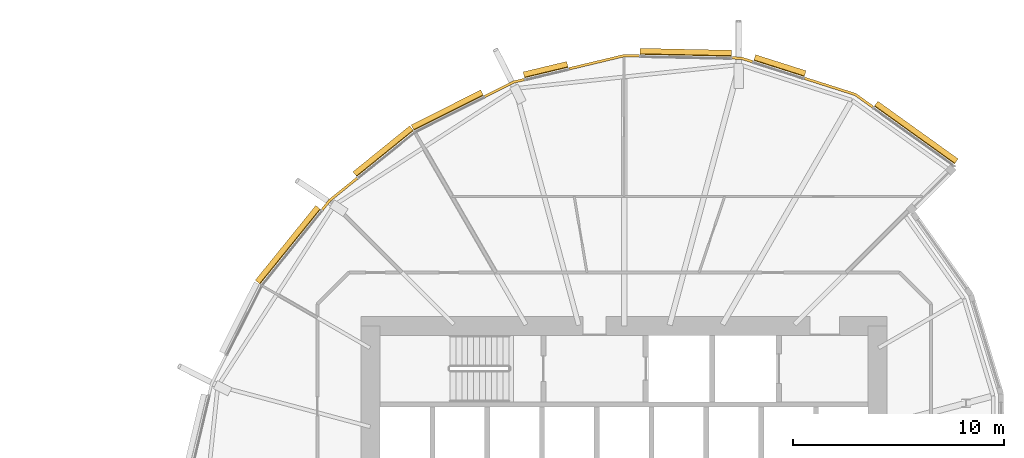
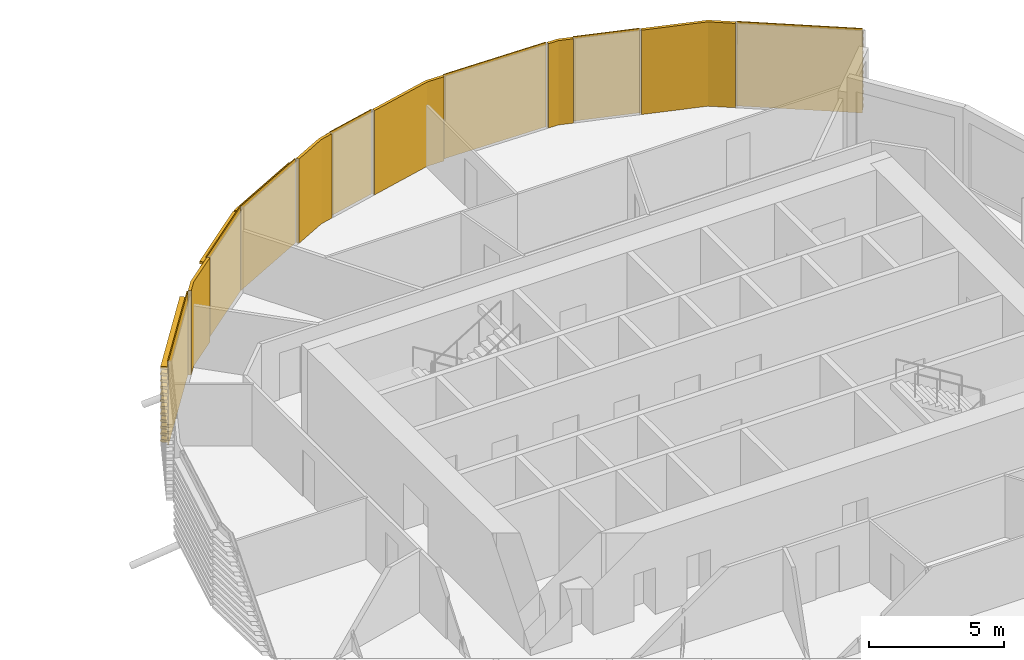
# One storey, part 36 of 36: 12 coverings.
"""IFC4 building model written with IfcOpenShell, lengths in metres."""

import ifcopenshell
import ifcopenshell.guid

model = None  # the IFC model being written
_history = None  # IfcOwnerHistory: only IFC2X3 demands one
_inside = {}  # id of a spatial element -> (the spatial element, [elements in it])
_under = {}  # id of a project, library or spatial element -> (it, [spatial elements below it])
_declared = {}  # id of a project -> (the project, [libraries it declares])
_typed = {}  # id of a type object -> (the type object, [elements of that type])
_made_of = {}  # id of a material, layer set ... -> (it, [elements and type objects made of it])


def new_model(schema):
    """Start an empty IFC model of exactly this schema.

    Asked for "IFC4X3", IfcOpenShell would pick the latest addendum, in which some entities
    have other attributes; the version numbers below select the first issue.
    IFC2X3 requires an IfcOwnerHistory on every rooted entity: one is made here for all.
    """
    global model, _history
    if schema == "IFC4X3":
        model = ifcopenshell.file(schema_version=(4, 3, 0, 0))
    else:
        model = ifcopenshell.file(schema=schema)
    _inside.clear()
    _under.clear()
    _declared.clear()
    _typed.clear()
    _made_of.clear()
    _history = None
    if model.schema == "IFC2X3":
        org = make("IfcOrganization", Name="unknown")
        user = make(
            "IfcPersonAndOrganization",
            ThePerson=make("IfcPerson", FamilyName="unknown"),
            TheOrganization=org,
        )
        app = make(
            "IfcApplication",
            ApplicationDeveloper=org,
            Version="unknown",
            ApplicationFullName="unknown",
            ApplicationIdentifier="unknown",
        )
        _history = make(
            "IfcOwnerHistory",
            OwningUser=user,
            OwningApplication=app,
            ChangeAction="ADDED",
            CreationDate=0,
        )
    return model


def make(cls, **values):
    """One entity of the class cls with the attributes given. An attribute that is None is left unset."""
    return model.create_entity(
        cls, **{name: value for name, value in values.items() if value is not None}
    )


def rooted(cls, **values):
    """An entity with a GlobalId (a new one), such as an element, a storey or a relation."""
    return make(cls, GlobalId=ifcopenshell.guid.new(), OwnerHistory=_history, **values)


def si_unit(unit_type, name, prefix=None):
    """IfcSIUnit, for example si_unit("LENGTHUNIT", "METRE", prefix="MILLI")."""
    return make("IfcSIUnit", UnitType=unit_type, Prefix=prefix, Name=name)


def assignment(units):
    """IfcUnitAssignment: the units of a project."""
    return None if units is None else make("IfcUnitAssignment", Units=units)


def point(xyz):
    """IfcCartesianPoint."""
    return None if xyz is None else make("IfcCartesianPoint", Coordinates=xyz)


def direction(xyz):
    """IfcDirection."""
    return None if xyz is None else make("IfcDirection", DirectionRatios=xyz)


def frame(location, z_axis=None, x_axis=None):
    """IfcAxis2Placement3D, a coordinate frame: its origin and axes. An axis left out is left unset."""
    return make(
        "IfcAxis2Placement3D",
        Location=point(location),
        Axis=direction(z_axis),
        RefDirection=direction(x_axis),
    )


def origin():
    """The frame at (0, 0, 0) with its axes left unset."""
    return frame((0.0, 0.0, 0.0))


def place(relative_to, where):
    """IfcLocalPlacement: puts the frame where relative to a parent placement (None: the world)."""
    return make(
        "IfcLocalPlacement", PlacementRelTo=relative_to, RelativePlacement=where
    )


def context(
    kind, dimensions, precision=None, world=None, true_north=None, identifier=None
):
    """IfcGeometricRepresentationContext, for example the 3D "Model" context."""
    return make(
        "IfcGeometricRepresentationContext",
        ContextIdentifier=identifier,
        ContextType=kind,
        CoordinateSpaceDimension=dimensions,
        Precision=precision,
        WorldCoordinateSystem=world,
        TrueNorth=true_north,
    )


def subcontext(parent, identifier, kind, view, scale=None):
    """IfcGeometricRepresentationSubContext, for example "Body" below "Model"."""
    return make(
        "IfcGeometricRepresentationSubContext",
        ContextIdentifier=identifier,
        ContextType=kind,
        ParentContext=parent,
        TargetScale=scale,
        TargetView=view,
    )


def project(units=None, contexts=None):
    """IfcProject with its units and contexts."""
    return rooted(
        "IfcProject",
        Name="project",
        RepresentationContexts=contexts,
        UnitsInContext=assignment(units),
    )


def spatial(cls, under=None, at=None, **own):
    """A site, building, storey or space (cls), placed at a placement, below another one or the project."""
    s = rooted(cls, ObjectPlacement=at, **own)
    if under is not None:
        _under.setdefault(under.id(), (under, []))[1].append(s)
    return s


def polyline(points):
    """IfcPolyline through the points."""
    return make("IfcPolyline", Points=[point(p) for p in points])


def outline(outer, holes=None, kind="AREA"):
    """IfcArbitraryClosedProfileDef: a profile drawn as a closed curve; with holes, ...WithVoids."""
    if holes is None:
        return make("IfcArbitraryClosedProfileDef", ProfileType=kind, OuterCurve=outer)
    return make(
        "IfcArbitraryProfileDefWithVoids",
        ProfileType=kind,
        OuterCurve=outer,
        InnerCurves=holes,
    )


def extrude(swept, where, along, depth):
    """IfcExtrudedAreaSolid: the profile swept, set in the frame where, extruded along a direction by depth."""
    return make(
        "IfcExtrudedAreaSolid",
        SweptArea=swept,
        Position=where,
        ExtrudedDirection=direction(along),
        Depth=depth,
    )


def shape(context_of_items, identifier, shape_type, items):
    """IfcShapeRepresentation: the items that make up one representation, for example the "Body"."""
    return make(
        "IfcShapeRepresentation",
        ContextOfItems=context_of_items,
        RepresentationIdentifier=identifier,
        RepresentationType=shape_type,
        Items=items,
    )


def material(Name=None, Category=None):
    """IfcMaterial."""
    return make("IfcMaterial", Name=Name, Category=Category)


def layer(
    of_material, thickness, ventilated=None, Name=None, Category=None, Priority=None
):
    """IfcMaterialLayer: one layer of a wall or slab, of a material (None: an air gap)."""
    return make(
        "IfcMaterialLayer",
        Material=of_material,
        LayerThickness=thickness,
        IsVentilated=ventilated,
        Name=Name,
        Category=Category,
        Priority=Priority,
    )


def layer_set(layers, Name=None):
    """IfcMaterialLayerSet."""
    return make("IfcMaterialLayerSet", MaterialLayers=layers, LayerSetName=Name)


def material_profile(
    of_material, cross_section, Name=None, Category=None, Priority=None
):
    """IfcMaterialProfile: a cross section and its material."""
    return make(
        "IfcMaterialProfile",
        Name=Name,
        Material=of_material,
        Profile=cross_section,
        Priority=Priority,
        Category=Category,
    )


def profile_set(profiles, Name=None, composite=None):
    """IfcMaterialProfileSet."""
    return make(
        "IfcMaterialProfileSet",
        Name=Name,
        MaterialProfiles=profiles,
        CompositeProfile=composite,
    )


def made_of(thing, what):
    """Note that an element or type object is made of a material, layer set ...; save() writes the relation."""
    if what is not None:
        _made_of.setdefault(what.id(), (what, []))[1].append(thing)
    return thing


def type_object(cls, material=None, **own):
    """A type object (cls), such as IfcWallType, which elements share."""
    return made_of(rooted(cls, **own), material)


def element(
    cls,
    number,
    at=None,
    inside=None,
    cuts=None,
    type_object=None,
    material=None,
    context=None,
    identifier="Body",
    shape_type=None,
    held_by="IfcProductDefinitionShape",
    body=None,
    shapes=None,
    **own,
):
    """One element of the class cls, such as IfcWall. Its Tag is "e" and its number.

    at: its placement. inside: the storey or other place that contains it. cuts: it is an
    opening in that element (IfcRelVoidsElement). A single representation is given by context,
    identifier, shape_type and body (its items); several are given by shapes. held_by: the class
    of the entity that holds the representations. save() writes the other relations.
    """
    e = rooted(cls, Tag="e%d" % number, ObjectPlacement=at, **own)
    if body is not None:
        shapes = [shape(context, identifier, shape_type, body)]
    if shapes is not None:
        e.Representation = make(held_by, Representations=shapes)
    if inside is not None:
        _inside.setdefault(inside.id(), (inside, []))[1].append(e)
    if cuts is not None:
        rooted(
            "IfcRelVoidsElement", RelatingBuildingElement=cuts, RelatedOpeningElement=e
        )
    if type_object is not None:
        _typed.setdefault(type_object.id(), (type_object, []))[1].append(e)
    return made_of(e, material)


def aggregate(whole, parts):
    """IfcRelAggregates: a whole, such as a stair, and the parts it consists of."""
    return rooted("IfcRelAggregates", RelatingObject=whole, RelatedObjects=parts)


def save(model, path):
    """Write the relations noted so far, then the file.

    IfcRelAggregates (storeys below a building ...), IfcRelContainedInSpatialStructure (elements
    in a storey), IfcRelDefinesByType, IfcRelAssociatesMaterial and IfcRelDeclares: one each for
    every whole, place, type object, material and project.
    """
    for whole, parts in _under.values():
        aggregate(whole, parts)
    for where, things in _inside.values():
        rooted(
            "IfcRelContainedInSpatialStructure",
            RelatedElements=things,
            RelatingStructure=where,
        )
    for kind, things in _typed.values():
        rooted("IfcRelDefinesByType", RelatedObjects=things, RelatingType=kind)
    for what, things in _made_of.values():
        rooted("IfcRelAssociatesMaterial", RelatedObjects=things, RelatingMaterial=what)
    for by, libraries in _declared.values():
        rooted("IfcRelDeclares", RelatingContext=by, RelatedDefinitions=libraries)
    model.write(path)


model = new_model("IFC4")

# Units and contexts
model_context = context("Model", 3, precision=1e-05, world=origin(), true_north=direction((0.0, 1.0)))
body_context = subcontext(model_context, "Body", "Model", "MODEL_VIEW")
ifc_project = project(units=[si_unit("LENGTHUNIT", "METRE"), si_unit("AREAUNIT", "SQUARE_METRE"), si_unit("VOLUMEUNIT", "CUBIC_METRE"), si_unit("PLANEANGLEUNIT", "RADIAN"), si_unit("MASSUNIT", "GRAM", prefix="KILO")], contexts=[model_context])

# Site, building, storey
site_placement = place(None, origin())
site = spatial("IfcSite", under=ifc_project, at=site_placement, CompositionType="ELEMENT")
building_placement = place(site_placement, origin())
building = spatial("IfcBuilding", under=site, at=building_placement, Name="Rimbun Link Towers", CompositionType="ELEMENT")
storey_placement = place(building_placement, frame((0.0, 0.0, 33.800048828125)))
storey = spatial("IfcBuildingStorey", under=building, at=storey_placement, Name="L07", CompositionType="ELEMENT", Elevation=33.800048828125)

# Coverings
ifc_material_1 = material(Name="Terracotta", Category="masonry")
ifc_layer = layer(ifc_material_1, 0.1201171875)
ifc_layer_set = layer_set([ifc_layer], Name="LINK PIER terracotta cladding 120")
covering_type_1 = type_object("IfcCoveringType", Name="LINK PIER terracotta cladding 120", PredefinedType="CLADDING", material=ifc_layer_set)
covering_1_placement = place(storey_placement, origin())
element("IfcCovering", 1, at=covering_1_placement, inside=storey, type_object=covering_type_1, Name="LINK PIER cladding", PredefinedType="CLADDING", context=body_context, shape_type="SweptSolid", body=[
    extrude(outline(polyline([(40.26220703125, 19.666748046875), (42.663818359375, 18.903076171875), (43.492431640625, 18.308349609375), (43.5625, 18.406005859375), (42.71826171875, 19.01171875), (40.298583984375, 19.78125), (40.26220703125, 19.666748046875)])), origin(), (0.0, 0.0, 1.0), 3.800048828125),
])
covering_2_placement = place(storey_placement, origin())
element("IfcCovering", 2, at=covering_2_placement, inside=storey, type_object=covering_type_1, Name="LINK PIER cladding", PredefinedType="CLADDING", context=body_context, shape_type="SweptSolid", body=[
    extrude(outline(polyline([(36.8544921875, 20.6259765625), (37.2744140625, 20.6171875), (37.8173828125, 20.4443359375), (37.853759765625, 20.55859375), (37.294189453125, 20.73681640625), (36.85693359375, 20.745849609375), (36.8544921875, 20.6259765625)])), origin(), (0.0, 0.0, 1.0), 3.800048828125),
])
covering_3_placement = place(storey_placement, origin())
element("IfcCovering", 3, at=covering_3_placement, inside=storey, type_object=covering_type_1, Name="LINK PIER cladding", PredefinedType="CLADDING", context=body_context, shape_type="SweptSolid", body=[
    extrude(outline(polyline([(29.1533203125, 20.1123046875), (31.75, 20.7333984375), (32.4697265625, 20.71826171875), (32.472412109375, 20.83837890625), (31.737060546875, 20.853759765625), (29.125244140625, 20.229248046875), (29.1533203125, 20.1123046875)])), origin(), (0.0, 0.0, 1.0), 3.800048828125),
])
covering_4_placement = place(storey_placement, origin())
element("IfcCovering", 4, at=covering_4_placement, inside=storey, type_object=covering_type_1, Name="LINK PIER cladding", PredefinedType="CLADDING", context=body_context, shape_type="SweptSolid", body=[
    extrude(outline(polyline([(25.170654296875, 18.802734375), (26.529052734375, 19.48486328125), (27.034912109375, 19.605712890625), (27.0068359375, 19.722412109375), (26.487548828125, 19.598388671875), (25.116943359375, 18.909912109375), (25.170654296875, 18.802734375)])), origin(), (0.0, 0.0, 1.0), 3.800048828125),
])
covering_5_placement = place(storey_placement, origin())
element("IfcCovering", 5, at=covering_5_placement, inside=storey, type_object=covering_type_1, Name="LINK PIER cladding", PredefinedType="CLADDING", context=body_context, shape_type="SweptSolid", body=[
    extrude(outline(polyline([(17.493896484375, 13.45458984375), (17.852294921875, 13.897705078125), (19.150390625, 14.9482421875), (19.074951171875, 15.04150390625), (17.76708984375, 13.98291015625), (17.400390625, 13.530029296875), (17.493896484375, 13.45458984375)])), origin(), (0.0, 0.0, 1.0), 3.800048828125),
])
ifc_material_2 = material(Name="Terracotta", Category="masonry")
ifc_material_profile = material_profile(ifc_material_2, outline(polyline([(0.123046875, 0.0), (0.1630859375, 0.0), (0.1630859375, 0.10009765625), (0.423095703125, 0.10009765625), (0.423095703125, 0.219970703125), (0.1630859375, 0.219970703125), (0.1630859375, 0.39990234375), (0.423095703125, 0.39990234375), (0.423095703125, 0.52001953125), (0.1630859375, 0.52001953125), (0.1630859375, 0.699951171875), (0.423095703125, 0.699951171875), (0.423095703125, 0.820068359375), (0.1630859375, 0.820068359375), (0.1630859375, 1.0), (0.423095703125, 1.0), (0.423095703125, 1.1201171875), (0.1630859375, 1.1201171875), (0.1630859375, 1.300048828125), (0.423095703125, 1.300048828125), (0.423095703125, 1.419921875), (0.1630859375, 1.419921875), (0.1630859375, 1.60009765625), (0.423095703125, 1.60009765625), (0.423095703125, 1.719970703125), (0.1630859375, 1.719970703125), (0.1630859375, 1.89990234375), (0.423095703125, 1.89990234375), (0.423095703125, 2.02001953125), (0.1630859375, 2.02001953125), (0.1630859375, 2.199951171875), (0.423095703125, 2.199951171875), (0.423095703125, 2.320068359375), (0.1630859375, 2.320068359375), (0.1630859375, 2.5), (0.423095703125, 2.5), (0.423095703125, 2.6201171875), (0.1630859375, 2.6201171875), (0.1630859375, 2.800048828125), (0.423095703125, 2.800048828125), (0.423095703125, 2.919921875), (0.1630859375, 2.919921875), (0.1630859375, 3.10009765625), (0.423095703125, 3.10009765625), (0.423095703125, 3.219970703125), (0.1630859375, 3.219970703125), (0.1630859375, 3.39990234375), (0.423095703125, 3.39990234375), (0.423095703125, 3.52001953125), (0.1630859375, 3.52001953125), (0.1630859375, 3.800048828125), (0.123046875, 3.800048828125), (0.123046875, 0.0)])), Name="BAGUETTE 120X300")
ifc_profile_set = profile_set([ifc_material_profile], Name="Terracotta")
covering_type_2 = type_object("IfcCoveringType", Name="TERRACOTTA BAGUETTE 120X300 H3800", PredefinedType="CLADDING", material=ifc_profile_set)
covering_6_placement = place(storey_placement, frame((43.516845703125, 18.291015625, 0.0), z_axis=(0.812443607919, -0.583039779047, 0.0), x_axis=(0.583039779047, 0.812443607919, 0.0)))
element("IfcCovering", 6, at=covering_6_placement, inside=storey, type_object=covering_type_2, Name="TERRACOTTA BAGUETTE", PredefinedType="CLADDING", context=body_context, shape_type="SweptSolid", body=[
    extrude(outline(polyline([(0.123046875, 0.0), (0.1630859375, 0.0), (0.1630859375, 0.10009765625), (0.423095703125, 0.10009765625), (0.423095703125, 0.219970703125), (0.1630859375, 0.219970703125), (0.1630859375, 0.39990234375), (0.423095703125, 0.39990234375), (0.423095703125, 0.52001953125), (0.1630859375, 0.52001953125), (0.1630859375, 0.699951171875), (0.423095703125, 0.699951171875), (0.423095703125, 0.820068359375), (0.1630859375, 0.820068359375), (0.1630859375, 1.0), (0.423095703125, 1.0), (0.423095703125, 1.1201171875), (0.1630859375, 1.1201171875), (0.1630859375, 1.300048828125), (0.423095703125, 1.300048828125), (0.423095703125, 1.419921875), (0.1630859375, 1.419921875), (0.1630859375, 1.60009765625), (0.423095703125, 1.60009765625), (0.423095703125, 1.719970703125), (0.1630859375, 1.719970703125), (0.1630859375, 1.89990234375), (0.423095703125, 1.89990234375), (0.423095703125, 2.02001953125), (0.1630859375, 2.02001953125), (0.1630859375, 2.199951171875), (0.423095703125, 2.199951171875), (0.423095703125, 2.320068359375), (0.1630859375, 2.320068359375), (0.1630859375, 2.5), (0.423095703125, 2.5), (0.423095703125, 2.6201171875), (0.1630859375, 2.6201171875), (0.1630859375, 2.800048828125), (0.423095703125, 2.800048828125), (0.423095703125, 2.919921875), (0.1630859375, 2.919921875), (0.1630859375, 3.10009765625), (0.423095703125, 3.10009765625), (0.423095703125, 3.219970703125), (0.1630859375, 3.219970703125), (0.1630859375, 3.39990234375), (0.423095703125, 3.39990234375), (0.423095703125, 3.52001953125), (0.1630859375, 3.52001953125), (0.1630859375, 3.800048828125), (0.123046875, 3.800048828125), (0.123046875, 0.0)])), origin(), (0.0, 0.0, 1.0), 4.67529296875),
])
covering_7_placement = place(storey_placement, frame((37.84619140625, 20.435302734375, 0.0), z_axis=(0.952968005394, -0.303070916942, 0.0), x_axis=(0.303070916942, 0.952968005394, 0.0)))
element("IfcCovering", 7, at=covering_7_placement, inside=storey, type_object=covering_type_2, Name="TERRACOTTA BAGUETTE", PredefinedType="CLADDING", context=body_context, shape_type="SweptSolid", body=[
    extrude(outline(polyline([(0.123046875, 0.0), (0.1630859375, 0.0), (0.1630859375, 0.10009765625), (0.423095703125, 0.10009765625), (0.423095703125, 0.219970703125), (0.1630859375, 0.219970703125), (0.1630859375, 0.39990234375), (0.423095703125, 0.39990234375), (0.423095703125, 0.52001953125), (0.1630859375, 0.52001953125), (0.1630859375, 0.699951171875), (0.423095703125, 0.699951171875), (0.423095703125, 0.820068359375), (0.1630859375, 0.820068359375), (0.1630859375, 1.0), (0.423095703125, 1.0), (0.423095703125, 1.1201171875), (0.1630859375, 1.1201171875), (0.1630859375, 1.300048828125), (0.423095703125, 1.300048828125), (0.423095703125, 1.419921875), (0.1630859375, 1.419921875), (0.1630859375, 1.60009765625), (0.423095703125, 1.60009765625), (0.423095703125, 1.719970703125), (0.1630859375, 1.719970703125), (0.1630859375, 1.89990234375), (0.423095703125, 1.89990234375), (0.423095703125, 2.02001953125), (0.1630859375, 2.02001953125), (0.1630859375, 2.199951171875), (0.423095703125, 2.199951171875), (0.423095703125, 2.320068359375), (0.1630859375, 2.320068359375), (0.1630859375, 2.5), (0.423095703125, 2.5), (0.423095703125, 2.6201171875), (0.1630859375, 2.6201171875), (0.1630859375, 2.800048828125), (0.423095703125, 2.800048828125), (0.423095703125, 2.919921875), (0.1630859375, 2.919921875), (0.1630859375, 3.10009765625), (0.423095703125, 3.10009765625), (0.423095703125, 3.219970703125), (0.1630859375, 3.219970703125), (0.1630859375, 3.39990234375), (0.423095703125, 3.39990234375), (0.423095703125, 3.52001953125), (0.1630859375, 3.52001953125), (0.1630859375, 3.800048828125), (0.123046875, 3.800048828125), (0.123046875, 0.0)])), origin(), (0.0, 0.0, 1.0), 2.50537109375),
])
covering_8_placement = place(storey_placement, frame((32.499755859375, 20.7177734375, 0.0), z_axis=(0.999777189958, -0.021108539519, 0.0), x_axis=(0.021108539519, 0.999777189958, 0.0)))
element("IfcCovering", 8, at=covering_8_placement, inside=storey, type_object=covering_type_2, Name="TERRACOTTA BAGUETTE", PredefinedType="CLADDING", context=body_context, shape_type="SweptSolid", body=[
    extrude(outline(polyline([(0.123046875, 0.0), (0.1630859375, 0.0), (0.1630859375, 0.10009765625), (0.423095703125, 0.10009765625), (0.423095703125, 0.219970703125), (0.1630859375, 0.219970703125), (0.1630859375, 0.39990234375), (0.423095703125, 0.39990234375), (0.423095703125, 0.52001953125), (0.1630859375, 0.52001953125), (0.1630859375, 0.699951171875), (0.423095703125, 0.699951171875), (0.423095703125, 0.820068359375), (0.1630859375, 0.820068359375), (0.1630859375, 1.0), (0.423095703125, 1.0), (0.423095703125, 1.1201171875), (0.1630859375, 1.1201171875), (0.1630859375, 1.300048828125), (0.423095703125, 1.300048828125), (0.423095703125, 1.419921875), (0.1630859375, 1.419921875), (0.1630859375, 1.60009765625), (0.423095703125, 1.60009765625), (0.423095703125, 1.719970703125), (0.1630859375, 1.719970703125), (0.1630859375, 1.89990234375), (0.423095703125, 1.89990234375), (0.423095703125, 2.02001953125), (0.1630859375, 2.02001953125), (0.1630859375, 2.199951171875), (0.423095703125, 2.199951171875), (0.423095703125, 2.320068359375), (0.1630859375, 2.320068359375), (0.1630859375, 2.5), (0.423095703125, 2.5), (0.423095703125, 2.6201171875), (0.1630859375, 2.6201171875), (0.1630859375, 2.800048828125), (0.423095703125, 2.800048828125), (0.423095703125, 2.919921875), (0.1630859375, 2.919921875), (0.1630859375, 3.10009765625), (0.423095703125, 3.10009765625), (0.423095703125, 3.219970703125), (0.1630859375, 3.219970703125), (0.1630859375, 3.39990234375), (0.423095703125, 3.39990234375), (0.423095703125, 3.52001953125), (0.1630859375, 3.52001953125), (0.1630859375, 3.800048828125), (0.123046875, 3.800048828125), (0.123046875, 0.0)])), origin(), (0.0, 0.0, 1.0), 4.32568359375),
])
covering_9_placement = place(storey_placement, frame((27.06396484375, 19.61279296875, 0.0), z_axis=(0.972573223631, 0.232596914587, 0.0), x_axis=(-0.232596914587, 0.972573223631, 0.0)))
element("IfcCovering", 9, at=covering_9_placement, inside=storey, type_object=covering_type_2, Name="TERRACOTTA BAGUETTE", PredefinedType="CLADDING", context=body_context, shape_type="SweptSolid", body=[
    extrude(outline(polyline([(0.123046875, 0.0), (0.1630859375, 0.0), (0.1630859375, 0.10009765625), (0.423095703125, 0.10009765625), (0.423095703125, 0.219970703125), (0.1630859375, 0.219970703125), (0.1630859375, 0.39990234375), (0.423095703125, 0.39990234375), (0.423095703125, 0.52001953125), (0.1630859375, 0.52001953125), (0.1630859375, 0.699951171875), (0.423095703125, 0.699951171875), (0.423095703125, 0.820068359375), (0.1630859375, 0.820068359375), (0.1630859375, 1.0), (0.423095703125, 1.0), (0.423095703125, 1.1201171875), (0.1630859375, 1.1201171875), (0.1630859375, 1.300048828125), (0.423095703125, 1.300048828125), (0.423095703125, 1.419921875), (0.1630859375, 1.419921875), (0.1630859375, 1.60009765625), (0.423095703125, 1.60009765625), (0.423095703125, 1.719970703125), (0.1630859375, 1.719970703125), (0.1630859375, 1.89990234375), (0.423095703125, 1.89990234375), (0.423095703125, 2.02001953125), (0.1630859375, 2.02001953125), (0.1630859375, 2.199951171875), (0.423095703125, 2.199951171875), (0.423095703125, 2.320068359375), (0.1630859375, 2.320068359375), (0.1630859375, 2.5), (0.423095703125, 2.5), (0.423095703125, 2.6201171875), (0.1630859375, 2.6201171875), (0.1630859375, 2.800048828125), (0.423095703125, 2.800048828125), (0.423095703125, 2.919921875), (0.1630859375, 2.919921875), (0.1630859375, 3.10009765625), (0.423095703125, 3.10009765625), (0.423095703125, 3.219970703125), (0.1630859375, 3.219970703125), (0.1630859375, 3.39990234375), (0.423095703125, 3.39990234375), (0.423095703125, 3.52001953125), (0.1630859375, 3.52001953125), (0.1630859375, 3.800048828125), (0.123046875, 3.800048828125), (0.123046875, 0.0)])), origin(), (0.0, 0.0, 1.0), 2.1181640625),
])
covering_10_placement = place(storey_placement, frame((21.85546875, 17.1376953125, 0.0), z_axis=(0.893629667203, 0.448805100121, 0.0), x_axis=(-0.448805100121, 0.893629667203, 0.0)))
element("IfcCovering", 10, at=covering_10_placement, inside=storey, type_object=covering_type_2, Name="TERRACOTTA BAGUETTE", PredefinedType="CLADDING", context=body_context, shape_type="SweptSolid", body=[
    extrude(outline(polyline([(0.123046875, 0.0), (0.1630859375, 0.0), (0.1630859375, 0.10009765625), (0.423095703125, 0.10009765625), (0.423095703125, 0.219970703125), (0.1630859375, 0.219970703125), (0.1630859375, 0.39990234375), (0.423095703125, 0.39990234375), (0.423095703125, 0.52001953125), (0.1630859375, 0.52001953125), (0.1630859375, 0.699951171875), (0.423095703125, 0.699951171875), (0.423095703125, 0.820068359375), (0.1630859375, 0.820068359375), (0.1630859375, 1.0), (0.423095703125, 1.0), (0.423095703125, 1.1201171875), (0.1630859375, 1.1201171875), (0.1630859375, 1.300048828125), (0.423095703125, 1.300048828125), (0.423095703125, 1.419921875), (0.1630859375, 1.419921875), (0.1630859375, 1.60009765625), (0.423095703125, 1.60009765625), (0.423095703125, 1.719970703125), (0.1630859375, 1.719970703125), (0.1630859375, 1.89990234375), (0.423095703125, 1.89990234375), (0.423095703125, 2.02001953125), (0.1630859375, 2.02001953125), (0.1630859375, 2.199951171875), (0.423095703125, 2.199951171875), (0.423095703125, 2.320068359375), (0.1630859375, 2.320068359375), (0.1630859375, 2.5), (0.423095703125, 2.5), (0.423095703125, 2.6201171875), (0.1630859375, 2.6201171875), (0.1630859375, 2.800048828125), (0.423095703125, 2.800048828125), (0.423095703125, 2.919921875), (0.1630859375, 2.919921875), (0.1630859375, 3.10009765625), (0.423095703125, 3.10009765625), (0.423095703125, 3.219970703125), (0.1630859375, 3.219970703125), (0.1630859375, 3.39990234375), (0.423095703125, 3.39990234375), (0.423095703125, 3.52001953125), (0.1630859375, 3.52001953125), (0.1630859375, 3.800048828125), (0.123046875, 3.800048828125), (0.123046875, 0.0)])), origin(), (0.0, 0.0, 1.0), 3.679931640625),
])
covering_11_placement = place(storey_placement, frame((19.173828125, 14.967041015625, 0.0), z_axis=(0.777272884766, 0.629163621491, 0.0), x_axis=(-0.629163621491, 0.777272884766, 0.0)))
element("IfcCovering", 11, at=covering_11_placement, inside=storey, type_object=covering_type_2, Name="TERRACOTTA BAGUETTE", PredefinedType="CLADDING", context=body_context, shape_type="SweptSolid", body=[
    extrude(outline(polyline([(0.123046875, 0.0), (0.1630859375, 0.0), (0.1630859375, 0.10009765625), (0.423095703125, 0.10009765625), (0.423095703125, 0.219970703125), (0.1630859375, 0.219970703125), (0.1630859375, 0.39990234375), (0.423095703125, 0.39990234375), (0.423095703125, 0.52001953125), (0.1630859375, 0.52001953125), (0.1630859375, 0.699951171875), (0.423095703125, 0.699951171875), (0.423095703125, 0.820068359375), (0.1630859375, 0.820068359375), (0.1630859375, 1.0), (0.423095703125, 1.0), (0.423095703125, 1.1201171875), (0.1630859375, 1.1201171875), (0.1630859375, 1.300048828125), (0.423095703125, 1.300048828125), (0.423095703125, 1.419921875), (0.1630859375, 1.419921875), (0.1630859375, 1.60009765625), (0.423095703125, 1.60009765625), (0.423095703125, 1.719970703125), (0.1630859375, 1.719970703125), (0.1630859375, 1.89990234375), (0.423095703125, 1.89990234375), (0.423095703125, 2.02001953125), (0.1630859375, 2.02001953125), (0.1630859375, 2.199951171875), (0.423095703125, 2.199951171875), (0.423095703125, 2.320068359375), (0.1630859375, 2.320068359375), (0.1630859375, 2.5), (0.423095703125, 2.5), (0.423095703125, 2.6201171875), (0.1630859375, 2.6201171875), (0.1630859375, 2.800048828125), (0.423095703125, 2.800048828125), (0.423095703125, 2.919921875), (0.1630859375, 2.919921875), (0.1630859375, 3.10009765625), (0.423095703125, 3.10009765625), (0.423095703125, 3.219970703125), (0.1630859375, 3.219970703125), (0.1630859375, 3.39990234375), (0.423095703125, 3.39990234375), (0.423095703125, 3.52001953125), (0.1630859375, 3.52001953125), (0.1630859375, 3.800048828125), (0.123046875, 3.800048828125), (0.123046875, 0.0)])), origin(), (0.0, 0.0, 1.0), 3.449951171875),
])
covering_12_placement = place(storey_placement, frame((14.6123046875, 9.89453125, 0.0), z_axis=(0.62914111418, 0.777291102772, 0.0), x_axis=(-0.777291102772, 0.62914111418, 0.0)))
element("IfcCovering", 12, at=covering_12_placement, inside=storey, type_object=covering_type_2, Name="TERRACOTTA BAGUETTE", PredefinedType="CLADDING", context=body_context, shape_type="SweptSolid", body=[
    extrude(outline(polyline([(0.123046875, 0.0), (0.1630859375, 0.0), (0.1630859375, 0.10009765625), (0.423095703125, 0.10009765625), (0.423095703125, 0.219970703125), (0.1630859375, 0.219970703125), (0.1630859375, 0.39990234375), (0.423095703125, 0.39990234375), (0.423095703125, 0.52001953125), (0.1630859375, 0.52001953125), (0.1630859375, 0.699951171875), (0.423095703125, 0.699951171875), (0.423095703125, 0.820068359375), (0.1630859375, 0.820068359375), (0.1630859375, 1.0), (0.423095703125, 1.0), (0.423095703125, 1.1201171875), (0.1630859375, 1.1201171875), (0.1630859375, 1.300048828125), (0.423095703125, 1.300048828125), (0.423095703125, 1.419921875), (0.1630859375, 1.419921875), (0.1630859375, 1.60009765625), (0.423095703125, 1.60009765625), (0.423095703125, 1.719970703125), (0.1630859375, 1.719970703125), (0.1630859375, 1.89990234375), (0.423095703125, 1.89990234375), (0.423095703125, 2.02001953125), (0.1630859375, 2.02001953125), (0.1630859375, 2.199951171875), (0.423095703125, 2.199951171875), (0.423095703125, 2.320068359375), (0.1630859375, 2.320068359375), (0.1630859375, 2.5), (0.423095703125, 2.5), (0.423095703125, 2.6201171875), (0.1630859375, 2.6201171875), (0.1630859375, 2.800048828125), (0.423095703125, 2.800048828125), (0.423095703125, 2.919921875), (0.1630859375, 2.919921875), (0.1630859375, 3.10009765625), (0.423095703125, 3.10009765625), (0.423095703125, 3.219970703125), (0.1630859375, 3.219970703125), (0.1630859375, 3.39990234375), (0.423095703125, 3.39990234375), (0.423095703125, 3.52001953125), (0.1630859375, 3.52001953125), (0.1630859375, 3.800048828125), (0.123046875, 3.800048828125), (0.123046875, 0.0)])), origin(), (0.0, 0.0, 1.0), 4.550048828125),
])

save(model, "model.ifc")
